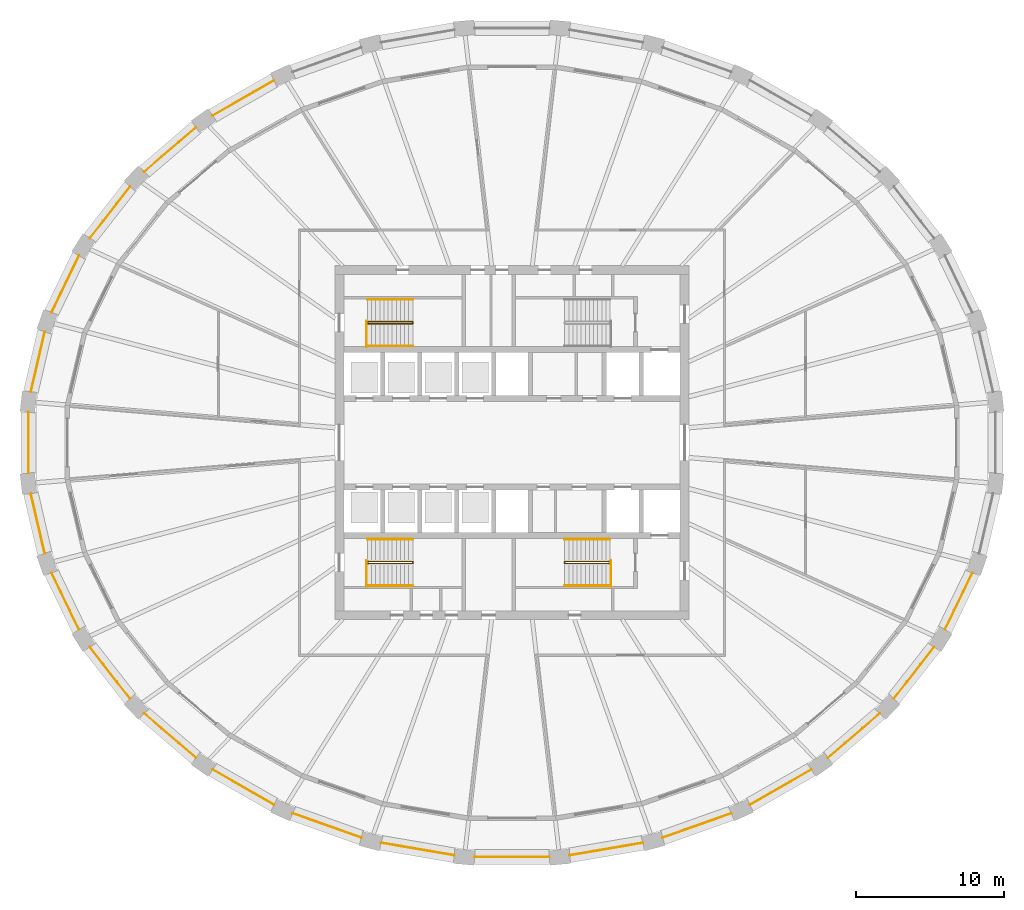
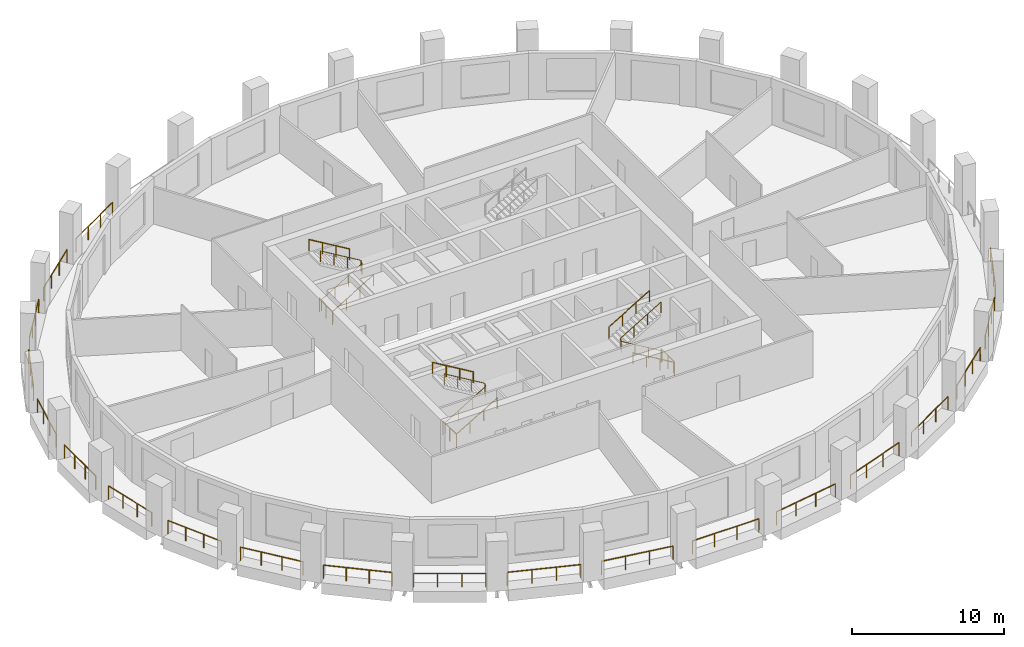
# One storey, part 8 of 10: 32 railings.
"""IFC4 building model written with IfcOpenShell, lengths in metres."""

from ifc_helpers import new_model, si_unit, direction, frame, origin, origin_2d, place, context, subcontext, project, spatial, circle, extrude, material, type_object, element, save


model = new_model("IFC4")

# Units and contexts
model_context = context("Model", 3, precision=1e-05, world=origin(), true_north=direction((0.0, 1.0)))
body_context = subcontext(model_context, "Body", "Model", "MODEL_VIEW")
ifc_project = project(units=[si_unit("LENGTHUNIT", "METRE"), si_unit("AREAUNIT", "SQUARE_METRE"), si_unit("VOLUMEUNIT", "CUBIC_METRE"), si_unit("PLANEANGLEUNIT", "RADIAN"), si_unit("MASSUNIT", "GRAM", prefix="KILO")], contexts=[model_context])

# Site, building, storey
site_placement = place(None, origin())
site = spatial("IfcSite", under=ifc_project, at=site_placement, CompositionType="ELEMENT")
building_placement = place(site_placement, origin())
building = spatial("IfcBuilding", under=site, at=building_placement, Name="Halqa Exchange Tower", CompositionType="ELEMENT")
storey_placement = place(building_placement, frame((0.0, 0.0, 182.89990234375)))
storey = spatial("IfcBuildingStorey", under=building, at=storey_placement, Name="L41", CompositionType="ELEMENT", Elevation=182.89990234375)

# Railings
ifc_material = material(Name="Stainless steel", Category="steel")
railing_type_1 = type_object("IfcRailingType", Name="Guard 1100 stainless steel", PredefinedType="GUARDRAIL", material=ifc_material)
railing_1_placement = place(storey_placement, frame((-16.126220703125, 24.5380859375, 0.0)))
element("IfcRailing", 1, at=railing_1_placement, inside=storey, type_object=railing_type_1, Name="Loggia guard 11", PredefinedType="GUARDRAIL", context=body_context, shape_type="SweptSolid", body=[
    extrude(circle(Radius=0.02392578125, at=origin_2d()), frame((0.0, 0.0, 1.076171875), z_axis=(-0.867793681236, -0.496924669148, 0.0), x_axis=(0.496924669148, -0.867793681236, 0.0)), (0.0, 0.0, 1.0), 4.783935546875),
    extrude(circle(Radius=0.02099609375, at=origin_2d()), origin(), (0.0, 0.0, 1.0), 1.052001953125),
    extrude(circle(Radius=0.02099609375, at=origin_2d()), frame((-1.3837890625, -0.79248046875, 0.0)), (0.0, 0.0, 1.0), 1.052001953125),
    extrude(circle(Radius=0.02099609375, at=origin_2d()), frame((-2.767578125, -1.584716796875, 0.0)), (0.0, 0.0, 1.0), 1.052001953125),
    extrude(circle(Radius=0.02099609375, at=origin_2d()), frame((-4.1513671875, -2.377197265625, 0.0)), (0.0, 0.0, 1.0), 1.052001953125),
])
railing_2_placement = place(storey_placement, frame((-21.41650390625, 21.357421875, 0.0)))
element("IfcRailing", 2, at=railing_2_placement, inside=storey, type_object=railing_type_1, Name="Loggia guard 12", PredefinedType="GUARDRAIL", context=body_context, shape_type="SweptSolid", body=[
    extrude(circle(Radius=0.02392578125, at=origin_2d()), frame((0.0, 0.0, 1.076171875), z_axis=(-0.759249126509, -0.650800095187, 0.0), x_axis=(0.650800095187, -0.759249126509, 0.0)), (0.0, 0.0, 1.0), 4.6103515625),
    extrude(circle(Radius=0.02099609375, at=origin_2d()), origin(), (0.0, 0.0, 1.0), 1.052001953125),
    extrude(circle(Radius=0.02099609375, at=origin_2d()), frame((-1.166748046875, -1.000244140625, 0.0)), (0.0, 0.0, 1.0), 1.052001953125),
    extrude(circle(Radius=0.02099609375, at=origin_2d()), frame((-2.333740234375, -2.000244140625, 0.0)), (0.0, 0.0, 1.0), 1.052001953125),
    extrude(circle(Radius=0.02099609375, at=origin_2d()), frame((-3.50048828125, -3.00048828125, 0.0)), (0.0, 0.0, 1.0), 1.052001953125),
])
railing_3_placement = place(storey_placement, frame((-25.87890625, 17.349365234375, 0.0)))
element("IfcRailing", 3, at=railing_3_placement, inside=storey, type_object=railing_type_1, Name="Loggia guard 13", PredefinedType="GUARDRAIL", context=body_context, shape_type="SweptSolid", body=[
    extrude(circle(Radius=0.02392578125, at=origin_2d()), frame((0.0, 0.0, 1.076171875), z_axis=(-0.614783111341, -0.788696219092, 0.0), x_axis=(0.788696219092, -0.614783111341, 0.0)), (0.0, 0.0, 1.0), 4.431884765625),
    extrude(circle(Radius=0.02099609375, at=origin_2d()), origin(), (0.0, 0.0, 1.0), 1.052001953125),
    extrude(circle(Radius=0.02099609375, at=origin_2d()), frame((-0.908203125, -1.1650390625, 0.0)), (0.0, 0.0, 1.0), 1.052001953125),
    extrude(circle(Radius=0.02099609375, at=origin_2d()), frame((-1.81640625, -2.330322265625, 0.0)), (0.0, 0.0, 1.0), 1.052001953125),
    extrude(circle(Radius=0.02099609375, at=origin_2d()), frame((-2.724609375, -3.495361328125, 0.0)), (0.0, 0.0, 1.0), 1.052001953125),
])
railing_4_placement = place(storey_placement, frame((-29.33837890625, 12.671630859375, 0.0)))
element("IfcRailing", 4, at=railing_4_placement, inside=storey, type_object=railing_type_1, Name="Loggia guard 14", PredefinedType="GUARDRAIL", context=body_context, shape_type="SweptSolid", body=[
    extrude(circle(Radius=0.02392578125, at=origin_2d()), frame((0.0, 0.0, 1.076171875), z_axis=(-0.435114663921, -0.900375049211, 0.0), x_axis=(0.900375049211, -0.435114663921, 0.0)), (0.0, 0.0, 1.0), 4.276123046875),
    extrude(circle(Radius=0.02099609375, at=origin_2d()), origin(), (0.0, 0.0, 1.0), 1.052001953125),
    extrude(circle(Radius=0.02099609375, at=origin_2d()), frame((-0.6201171875, -1.283447265625, 0.0)), (0.0, 0.0, 1.0), 1.052001953125),
    extrude(circle(Radius=0.02099609375, at=origin_2d()), frame((-1.240478515625, -2.566650390625, 0.0)), (0.0, 0.0, 1.0), 1.052001953125),
    extrude(circle(Radius=0.02099609375, at=origin_2d()), frame((-1.860595703125, -3.85009765625, 0.0)), (0.0, 0.0, 1.0), 1.052001953125),
])
railing_5_placement = place(storey_placement, frame((-31.66162109375, 7.509521484375, 0.0)))
element("IfcRailing", 5, at=railing_5_placement, inside=storey, type_object=railing_type_1, Name="Loggia guard 15", PredefinedType="GUARDRAIL", context=body_context, shape_type="SweptSolid", body=[
    extrude(circle(Radius=0.02392578125, at=origin_2d()), frame((0.0, 0.0, 1.076171875), z_axis=(-0.22612077851, -0.974099272932, 0.0), x_axis=(0.974099272932, -0.22612077851, 0.0)), (0.0, 0.0, 1.0), 4.169677734375),
    extrude(circle(Radius=0.02099609375, at=origin_2d()), origin(), (0.0, 0.0, 1.0), 1.052001953125),
    extrude(circle(Radius=0.02099609375, at=origin_2d()), frame((-0.314208984375, -1.35400390625, 0.0)), (0.0, 0.0, 1.0), 1.052001953125),
    extrude(circle(Radius=0.02099609375, at=origin_2d()), frame((-0.628662109375, -2.707763671875, 0.0)), (0.0, 0.0, 1.0), 1.052001953125),
    extrude(circle(Radius=0.02099609375, at=origin_2d()), frame((-0.94287109375, -4.061767578125, 0.0)), (0.0, 0.0, 1.0), 1.052001953125),
])
railing_6_placement = place(storey_placement, frame((-32.7626953125, 2.06591796875, 0.0)))
element("IfcRailing", 6, at=railing_6_placement, inside=storey, type_object=railing_type_1, Name="Loggia guard 16", PredefinedType="GUARDRAIL", context=body_context, shape_type="SweptSolid", body=[
    extrude(circle(Radius=0.02392578125, at=origin_2d()), frame((0.0, 0.0, 1.076171875), z_axis=(0.0, -1.0, 0.0), x_axis=(1.0, 0.0, 0.0)), (0.0, 0.0, 1.0), 4.1318359375),
    extrude(circle(Radius=0.02099609375, at=origin_2d()), origin(), (0.0, 0.0, 1.0), 1.052001953125),
    extrude(circle(Radius=0.02099609375, at=origin_2d()), frame((0.0, -1.377197265625, 0.0)), (0.0, 0.0, 1.0), 1.052001953125),
    extrude(circle(Radius=0.02099609375, at=origin_2d()), frame((0.0, -2.754638671875, 0.0)), (0.0, 0.0, 1.0), 1.052001953125),
    extrude(circle(Radius=0.02099609375, at=origin_2d()), frame((0.0, -4.1318359375, 0.0)), (0.0, 0.0, 1.0), 1.052001953125),
])
railing_7_placement = place(storey_placement, frame((-32.6044921875, -3.44775390625, 0.0)))
element("IfcRailing", 7, at=railing_7_placement, inside=storey, type_object=railing_type_1, Name="Loggia guard 17", PredefinedType="GUARDRAIL", context=body_context, shape_type="SweptSolid", body=[
    extrude(circle(Radius=0.02392578125, at=origin_2d()), frame((0.0, 0.0, 1.076171875), z_axis=(0.22612077851, -0.974099272932, 0.0), x_axis=(0.974099272932, 0.22612077851, 0.0)), (0.0, 0.0, 1.0), 4.169677734375),
    extrude(circle(Radius=0.02099609375, at=origin_2d()), origin(), (0.0, 0.0, 1.0), 1.052001953125),
    extrude(circle(Radius=0.02099609375, at=origin_2d()), frame((0.314208984375, -1.35400390625, 0.0)), (0.0, 0.0, 1.0), 1.052001953125),
    extrude(circle(Radius=0.02099609375, at=origin_2d()), frame((0.628662109375, -2.707763671875, 0.0)), (0.0, 0.0, 1.0), 1.052001953125),
    extrude(circle(Radius=0.02099609375, at=origin_2d()), frame((0.94287109375, -4.061767578125, 0.0)), (0.0, 0.0, 1.0), 1.052001953125),
])
railing_8_placement = place(storey_placement, frame((-31.198974609375, -8.821533203125, 0.0)))
element("IfcRailing", 8, at=railing_8_placement, inside=storey, type_object=railing_type_1, Name="Loggia guard 18", PredefinedType="GUARDRAIL", context=body_context, shape_type="SweptSolid", body=[
    extrude(circle(Radius=0.02392578125, at=origin_2d()), frame((0.0, 0.0, 1.076171875), z_axis=(0.435114663921, -0.900375049211, 0.0), x_axis=(0.900375049211, 0.435114663921, 0.0)), (0.0, 0.0, 1.0), 4.276123046875),
    extrude(circle(Radius=0.02099609375, at=origin_2d()), origin(), (0.0, 0.0, 1.0), 1.052001953125),
    extrude(circle(Radius=0.02099609375, at=origin_2d()), frame((0.6201171875, -1.283447265625, 0.0)), (0.0, 0.0, 1.0), 1.052001953125),
    extrude(circle(Radius=0.02099609375, at=origin_2d()), frame((1.240478515625, -2.566650390625, 0.0)), (0.0, 0.0, 1.0), 1.052001953125),
    extrude(circle(Radius=0.02099609375, at=origin_2d()), frame((1.860595703125, -3.85009765625, 0.0)), (0.0, 0.0, 1.0), 1.052001953125),
])
railing_9_placement = place(storey_placement, frame((-28.603515625, -13.85400390625, 0.0)))
element("IfcRailing", 9, at=railing_9_placement, inside=storey, type_object=railing_type_1, Name="Loggia guard 19", PredefinedType="GUARDRAIL", context=body_context, shape_type="SweptSolid", body=[
    extrude(circle(Radius=0.02392578125, at=origin_2d()), frame((0.0, 0.0, 1.076171875), z_axis=(0.614783111341, -0.788696219092, 0.0), x_axis=(0.788696219092, 0.614783111341, 0.0)), (0.0, 0.0, 1.0), 4.431884765625),
    extrude(circle(Radius=0.02099609375, at=origin_2d()), origin(), (0.0, 0.0, 1.0), 1.052001953125),
    extrude(circle(Radius=0.02099609375, at=origin_2d()), frame((0.908203125, -1.1650390625, 0.0)), (0.0, 0.0, 1.0), 1.052001953125),
    extrude(circle(Radius=0.02099609375, at=origin_2d()), frame((1.81640625, -2.330322265625, 0.0)), (0.0, 0.0, 1.0), 1.052001953125),
    extrude(circle(Radius=0.02099609375, at=origin_2d()), frame((2.724609375, -3.495361328125, 0.0)), (0.0, 0.0, 1.0), 1.052001953125),
])
railing_10_placement = place(storey_placement, frame((-24.9169921875, -18.35693359375, 0.0)))
element("IfcRailing", 10, at=railing_10_placement, inside=storey, type_object=railing_type_1, Name="Loggia guard 20", PredefinedType="GUARDRAIL", context=body_context, shape_type="SweptSolid", body=[
    extrude(circle(Radius=0.02392578125, at=origin_2d()), frame((0.0, 0.0, 1.076171875), z_axis=(0.759249126509, -0.650800095187, 0.0), x_axis=(0.650800095187, 0.759249126509, 0.0)), (0.0, 0.0, 1.0), 4.6103515625),
    extrude(circle(Radius=0.02099609375, at=origin_2d()), origin(), (0.0, 0.0, 1.0), 1.052001953125),
    extrude(circle(Radius=0.02099609375, at=origin_2d()), frame((1.166748046875, -1.000244140625, 0.0)), (0.0, 0.0, 1.0), 1.052001953125),
    extrude(circle(Radius=0.02099609375, at=origin_2d()), frame((2.333740234375, -2.000244140625, 0.0)), (0.0, 0.0, 1.0), 1.052001953125),
    extrude(circle(Radius=0.02099609375, at=origin_2d()), frame((3.50048828125, -3.00048828125, 0.0)), (0.0, 0.0, 1.0), 1.052001953125),
])
railing_11_placement = place(storey_placement, frame((-20.277587890625, -22.160888671875, 0.0)))
element("IfcRailing", 11, at=railing_11_placement, inside=storey, type_object=railing_type_1, Name="Loggia guard 21", PredefinedType="GUARDRAIL", context=body_context, shape_type="SweptSolid", body=[
    extrude(circle(Radius=0.02392578125, at=origin_2d()), frame((0.0, 0.0, 1.076171875), z_axis=(0.867793681236, -0.496924669148, 0.0), x_axis=(0.496924669148, 0.867793681236, 0.0)), (0.0, 0.0, 1.0), 4.783935546875),
    extrude(circle(Radius=0.02099609375, at=origin_2d()), origin(), (0.0, 0.0, 1.0), 1.052001953125),
    extrude(circle(Radius=0.02099609375, at=origin_2d()), frame((1.3837890625, -0.79248046875, 0.0)), (0.0, 0.0, 1.0), 1.052001953125),
    extrude(circle(Radius=0.02099609375, at=origin_2d()), frame((2.767578125, -1.584716796875, 0.0)), (0.0, 0.0, 1.0), 1.052001953125),
    extrude(circle(Radius=0.02099609375, at=origin_2d()), frame((4.1513671875, -2.377197265625, 0.0)), (0.0, 0.0, 1.0), 1.052001953125),
])
railing_12_placement = place(storey_placement, frame((-14.859130859375, -25.120361328125, 0.0)))
element("IfcRailing", 12, at=railing_12_placement, inside=storey, type_object=railing_type_1, Name="Loggia guard 22", PredefinedType="GUARDRAIL", context=body_context, shape_type="SweptSolid", body=[
    extrude(circle(Radius=0.02392578125, at=origin_2d()), frame((0.0, 0.0, 1.076171875), z_axis=(0.94236475605, -0.334587307822, 0.0), x_axis=(0.334587307822, 0.94236475605, 0.0)), (0.0, 0.0, 1.0), 4.9267578125),
    extrude(circle(Radius=0.02099609375, at=origin_2d()), origin(), (0.0, 0.0, 1.0), 1.052001953125),
    extrude(circle(Radius=0.02099609375, at=origin_2d()), frame((1.547607421875, -0.549560546875, 0.0)), (0.0, 0.0, 1.0), 1.052001953125),
    extrude(circle(Radius=0.02099609375, at=origin_2d()), frame((3.09521484375, -1.098876953125, 0.0)), (0.0, 0.0, 1.0), 1.052001953125),
    extrude(circle(Radius=0.02099609375, at=origin_2d()), frame((4.642822265625, -1.6484375, 0.0)), (0.0, 0.0, 1.0), 1.052001953125),
])
railing_13_placement = place(storey_placement, frame((-8.866455078125, -27.12060546875, 0.0)))
element("IfcRailing", 13, at=railing_13_placement, inside=storey, type_object=railing_type_1, Name="Loggia guard 23", PredefinedType="GUARDRAIL", context=body_context, shape_type="SweptSolid", body=[
    extrude(circle(Radius=0.02392578125, at=origin_2d()), frame((0.0, 0.0, 1.076171875), z_axis=(0.985772013082, -0.16808788839, 0.0), x_axis=(0.16808788839, 0.985772013082, 0.0)), (0.0, 0.0, 1.0), 5.021240234375),
    extrude(circle(Radius=0.02099609375, at=origin_2d()), origin(), (0.0, 0.0, 1.0), 1.052001953125),
    extrude(circle(Radius=0.02099609375, at=origin_2d()), frame((1.64990234375, -0.28125, 0.0)), (0.0, 0.0, 1.0), 1.052001953125),
    extrude(circle(Radius=0.02099609375, at=origin_2d()), frame((3.2998046875, -0.562744140625, 0.0)), (0.0, 0.0, 1.0), 1.052001953125),
    extrude(circle(Radius=0.02099609375, at=origin_2d()), frame((4.94970703125, -0.843994140625, 0.0)), (0.0, 0.0, 1.0), 1.052001953125),
])
railing_14_placement = place(storey_placement, frame((-2.52685546875, -28.082275390625, 0.0)))
element("IfcRailing", 14, at=railing_14_placement, inside=storey, type_object=railing_type_1, Name="Loggia guard 24", PredefinedType="GUARDRAIL", context=body_context, shape_type="SweptSolid", body=[
    extrude(circle(Radius=0.02392578125, at=origin_2d()), frame((0.0, 0.0, 1.076171875), z_axis=(1.0, 0.0, 0.0), x_axis=(0.0, 1.0, 0.0)), (0.0, 0.0, 1.0), 5.0537109375),
    extrude(circle(Radius=0.02099609375, at=origin_2d()), origin(), (0.0, 0.0, 1.0), 1.052001953125),
    extrude(circle(Radius=0.02099609375, at=origin_2d()), frame((1.6845703125, 0.0, 0.0)), (0.0, 0.0, 1.0), 1.052001953125),
    extrude(circle(Radius=0.02099609375, at=origin_2d()), frame((3.369140625, 0.0, 0.0)), (0.0, 0.0, 1.0), 1.052001953125),
    extrude(circle(Radius=0.02099609375, at=origin_2d()), frame((5.0537109375, 0.0, 0.0)), (0.0, 0.0, 1.0), 1.052001953125),
])
railing_15_placement = place(storey_placement, frame((3.916748046875, -27.964599609375, 0.0)))
element("IfcRailing", 15, at=railing_15_placement, inside=storey, type_object=railing_type_1, Name="Loggia guard 25", PredefinedType="GUARDRAIL", context=body_context, shape_type="SweptSolid", body=[
    extrude(circle(Radius=0.02392578125, at=origin_2d()), frame((0.0, 0.0, 1.076171875), z_axis=(0.985772013082, 0.16808788839, 0.0), x_axis=(-0.16808788839, 0.985772013082, 0.0)), (0.0, 0.0, 1.0), 5.021240234375),
    extrude(circle(Radius=0.02099609375, at=origin_2d()), origin(), (0.0, 0.0, 1.0), 1.052001953125),
    extrude(circle(Radius=0.02099609375, at=origin_2d()), frame((1.64990234375, 0.28125, 0.0)), (0.0, 0.0, 1.0), 1.052001953125),
    extrude(circle(Radius=0.02099609375, at=origin_2d()), frame((3.2998046875, 0.562744140625, 0.0)), (0.0, 0.0, 1.0), 1.052001953125),
    extrude(circle(Radius=0.02099609375, at=origin_2d()), frame((4.94970703125, 0.843994140625, 0.0)), (0.0, 0.0, 1.0), 1.052001953125),
])
railing_16_placement = place(storey_placement, frame((10.21630859375, -26.768798828125, 0.0)))
element("IfcRailing", 16, at=railing_16_placement, inside=storey, type_object=railing_type_1, Name="Loggia guard 26", PredefinedType="GUARDRAIL", context=body_context, shape_type="SweptSolid", body=[
    extrude(circle(Radius=0.02392578125, at=origin_2d()), frame((0.0, 0.0, 1.076171875), z_axis=(0.94236475605, 0.334587307822, 0.0), x_axis=(-0.334587307822, 0.94236475605, 0.0)), (0.0, 0.0, 1.0), 4.9267578125),
    extrude(circle(Radius=0.02099609375, at=origin_2d()), origin(), (0.0, 0.0, 1.0), 1.052001953125),
    extrude(circle(Radius=0.02099609375, at=origin_2d()), frame((1.547607421875, 0.549560546875, 0.0)), (0.0, 0.0, 1.0), 1.052001953125),
    extrude(circle(Radius=0.02099609375, at=origin_2d()), frame((3.09521484375, 1.098876953125, 0.0)), (0.0, 0.0, 1.0), 1.052001953125),
    extrude(circle(Radius=0.02099609375, at=origin_2d()), frame((4.642822265625, 1.6484375, 0.0)), (0.0, 0.0, 1.0), 1.052001953125),
])
railing_17_placement = place(storey_placement, frame((16.126220703125, -24.5380859375, 0.0)))
element("IfcRailing", 17, at=railing_17_placement, inside=storey, type_object=railing_type_1, Name="Loggia guard 27", PredefinedType="GUARDRAIL", context=body_context, shape_type="SweptSolid", body=[
    extrude(circle(Radius=0.02392578125, at=origin_2d()), frame((0.0, 0.0, 1.076171875), z_axis=(0.867793681236, 0.496924669148, 0.0), x_axis=(-0.496924669148, 0.867793681236, 0.0)), (0.0, 0.0, 1.0), 4.783935546875),
    extrude(circle(Radius=0.02099609375, at=origin_2d()), origin(), (0.0, 0.0, 1.0), 1.052001953125),
    extrude(circle(Radius=0.02099609375, at=origin_2d()), frame((1.3837890625, 0.79248046875, 0.0)), (0.0, 0.0, 1.0), 1.052001953125),
    extrude(circle(Radius=0.02099609375, at=origin_2d()), frame((2.767578125, 1.584716796875, 0.0)), (0.0, 0.0, 1.0), 1.052001953125),
    extrude(circle(Radius=0.02099609375, at=origin_2d()), frame((4.1513671875, 2.377197265625, 0.0)), (0.0, 0.0, 1.0), 1.052001953125),
])
railing_18_placement = place(storey_placement, frame((21.41650390625, -21.357421875, 0.0)))
element("IfcRailing", 18, at=railing_18_placement, inside=storey, type_object=railing_type_1, Name="Loggia guard 28", PredefinedType="GUARDRAIL", context=body_context, shape_type="SweptSolid", body=[
    extrude(circle(Radius=0.02392578125, at=origin_2d()), frame((0.0, 0.0, 1.076171875), z_axis=(0.759249126509, 0.650800095187, 0.0), x_axis=(-0.650800095187, 0.759249126509, 0.0)), (0.0, 0.0, 1.0), 4.6103515625),
    extrude(circle(Radius=0.02099609375, at=origin_2d()), origin(), (0.0, 0.0, 1.0), 1.052001953125),
    extrude(circle(Radius=0.02099609375, at=origin_2d()), frame((1.166748046875, 1.000244140625, 0.0)), (0.0, 0.0, 1.0), 1.052001953125),
    extrude(circle(Radius=0.02099609375, at=origin_2d()), frame((2.333740234375, 2.000244140625, 0.0)), (0.0, 0.0, 1.0), 1.052001953125),
    extrude(circle(Radius=0.02099609375, at=origin_2d()), frame((3.50048828125, 3.00048828125, 0.0)), (0.0, 0.0, 1.0), 1.052001953125),
])
railing_19_placement = place(storey_placement, frame((25.87890625, -17.349365234375, 0.0)))
element("IfcRailing", 19, at=railing_19_placement, inside=storey, type_object=railing_type_1, Name="Loggia guard 29", PredefinedType="GUARDRAIL", context=body_context, shape_type="SweptSolid", body=[
    extrude(circle(Radius=0.02392578125, at=origin_2d()), frame((0.0, 0.0, 1.076171875), z_axis=(0.614783111341, 0.788696219092, 0.0), x_axis=(-0.788696219092, 0.614783111341, 0.0)), (0.0, 0.0, 1.0), 4.431884765625),
    extrude(circle(Radius=0.02099609375, at=origin_2d()), origin(), (0.0, 0.0, 1.0), 1.052001953125),
    extrude(circle(Radius=0.02099609375, at=origin_2d()), frame((0.908203125, 1.1650390625, 0.0)), (0.0, 0.0, 1.0), 1.052001953125),
    extrude(circle(Radius=0.02099609375, at=origin_2d()), frame((1.81640625, 2.330322265625, 0.0)), (0.0, 0.0, 1.0), 1.052001953125),
    extrude(circle(Radius=0.02099609375, at=origin_2d()), frame((2.724609375, 3.495361328125, 0.0)), (0.0, 0.0, 1.0), 1.052001953125),
])
railing_20_placement = place(storey_placement, frame((29.33837890625, -12.671630859375, 0.0)))
element("IfcRailing", 20, at=railing_20_placement, inside=storey, type_object=railing_type_1, Name="Loggia guard 30", PredefinedType="GUARDRAIL", context=body_context, shape_type="SweptSolid", body=[
    extrude(circle(Radius=0.02392578125, at=origin_2d()), frame((0.0, 0.0, 1.076171875), z_axis=(0.435114663921, 0.900375049211, 0.0), x_axis=(-0.900375049211, 0.435114663921, 0.0)), (0.0, 0.0, 1.0), 4.276123046875),
    extrude(circle(Radius=0.02099609375, at=origin_2d()), origin(), (0.0, 0.0, 1.0), 1.052001953125),
    extrude(circle(Radius=0.02099609375, at=origin_2d()), frame((0.6201171875, 1.283447265625, 0.0)), (0.0, 0.0, 1.0), 1.052001953125),
    extrude(circle(Radius=0.02099609375, at=origin_2d()), frame((1.240478515625, 2.566650390625, 0.0)), (0.0, 0.0, 1.0), 1.052001953125),
    extrude(circle(Radius=0.02099609375, at=origin_2d()), frame((1.860595703125, 3.85009765625, 0.0)), (0.0, 0.0, 1.0), 1.052001953125),
])
railing_type_2 = type_object("IfcRailingType", Name="Stair handrail 900", PredefinedType="HANDRAIL", material=ifc_material)
railing_21_placement = place(storey_placement, frame((-9.800048828125, 8.06005859375, 0.166748046875)))
element("IfcRailing", 21, at=railing_21_placement, inside=storey, type_object=railing_type_2, Name="Handrail ST1.1", PredefinedType="HANDRAIL", context=body_context, shape_type="SweptSolid", body=[
    extrude(circle(Radius=0.02392578125, at=origin_2d()), frame((0.0, 0.0, 0.8759765625), z_axis=(0.859308565015, 0.0, 0.511457515432), x_axis=(0.0, 1.0, 0.0)), (0.0, 0.0, 1.0), 3.58447265625),
    extrude(circle(Radius=0.02392578125, at=origin_2d()), frame((3.080078125, 0.0, 2.708984375), z_axis=(0.0, 0.614500226555, 0.788916644243), x_axis=(-1.0, 0.0, 0.0)), (0.0, 0.0, 1.0), 0.21142578125),
    extrude(circle(Radius=0.02392578125, at=origin_2d()), frame((3.080078125, 0.1298828125, 2.8759765625), z_axis=(-0.859308565015, 0.0, 0.511457515432), x_axis=(0.0, -1.0, 0.0)), (0.0, 0.0, 1.0), 3.58447265625),
    extrude(circle(Radius=0.02099609375, at=origin_2d()), origin(), (0.0, 0.0, 1.0), 0.851806640625),
    extrude(circle(Radius=0.02099609375, at=origin_2d()), frame((1.026611328125, 0.0, 0.611083984375)), (0.0, 0.0, 1.0), 0.851806640625),
    extrude(circle(Radius=0.02099609375, at=origin_2d()), frame((2.053466796875, 0.0, 1.22216796875)), (0.0, 0.0, 1.0), 0.851806640625),
    extrude(circle(Radius=0.02099609375, at=origin_2d()), frame((3.080078125, 0.0, 1.833251953125)), (0.0, 0.0, 1.0), 0.851806640625),
    extrude(circle(Radius=0.02099609375, at=origin_2d()), frame((3.080078125, 0.1298828125, 2.0)), (0.0, 0.0, 1.0), 0.851806640625),
    extrude(circle(Radius=0.02099609375, at=origin_2d()), frame((2.053466796875, 0.1298828125, 2.611083984375)), (0.0, 0.0, 1.0), 0.851806640625),
    extrude(circle(Radius=0.02099609375, at=origin_2d()), frame((1.026611328125, 0.1298828125, 3.22216796875)), (0.0, 0.0, 1.0), 0.851806640625),
    extrude(circle(Radius=0.02099609375, at=origin_2d()), frame((0.0, 0.1298828125, 3.833251953125)), (0.0, 0.0, 1.0), 0.851806640625),
])
railing_22_placement = place(storey_placement, frame((-9.800048828125, 6.550048828125, 0.166748046875)))
element("IfcRailing", 22, at=railing_22_placement, inside=storey, type_object=railing_type_2, Name="Handrail ST1.2", PredefinedType="HANDRAIL", context=body_context, shape_type="SweptSolid", body=[
    extrude(circle(Radius=0.02392578125, at=origin_2d()), frame((0.0, 0.0, 0.8759765625), z_axis=(0.859308565015, 0.0, 0.511457515432), x_axis=(0.0, 1.0, 0.0)), (0.0, 0.0, 1.0), 3.58447265625),
    extrude(circle(Radius=0.02099609375, at=origin_2d()), origin(), (0.0, 0.0, 1.0), 0.851806640625),
    extrude(circle(Radius=0.02099609375, at=origin_2d()), frame((1.026611328125, 0.0, 0.611083984375)), (0.0, 0.0, 1.0), 0.851806640625),
    extrude(circle(Radius=0.02099609375, at=origin_2d()), frame((2.053466796875, 0.0, 1.22216796875)), (0.0, 0.0, 1.0), 0.851806640625),
    extrude(circle(Radius=0.02099609375, at=origin_2d()), frame((3.080078125, 0.0, 1.833251953125)), (0.0, 0.0, 1.0), 0.851806640625),
])
railing_23_placement = place(storey_placement, frame((-6.719970703125, 9.699951171875, 2.166748046875)))
element("IfcRailing", 23, at=railing_23_placement, inside=storey, type_object=railing_type_2, Name="Handrail ST1.3", PredefinedType="HANDRAIL", context=body_context, shape_type="SweptSolid", body=[
    extrude(circle(Radius=0.02392578125, at=origin_2d()), frame((0.0, 0.0, 0.8759765625), z_axis=(-0.859308565015, 0.0, 0.511457515432), x_axis=(0.0, -1.0, 0.0)), (0.0, 0.0, 1.0), 3.58447265625),
    extrude(circle(Radius=0.02099609375, at=origin_2d()), origin(), (0.0, 0.0, 1.0), 0.851806640625),
    extrude(circle(Radius=0.02099609375, at=origin_2d()), frame((-1.026611328125, 0.0, 0.611083984375)), (0.0, 0.0, 1.0), 0.851806640625),
    extrude(circle(Radius=0.02099609375, at=origin_2d()), frame((-2.053466796875, 0.0, 1.22216796875)), (0.0, 0.0, 1.0), 0.851806640625),
    extrude(circle(Radius=0.02099609375, at=origin_2d()), frame((-3.080078125, 0.0, 1.833251953125)), (0.0, 0.0, 1.0), 0.851806640625),
])
railing_24_placement = place(storey_placement, frame((-9.800048828125, -8.18994140625, 0.166748046875)))
element("IfcRailing", 24, at=railing_24_placement, inside=storey, type_object=railing_type_2, Name="Handrail ST3.1", PredefinedType="HANDRAIL", context=body_context, shape_type="SweptSolid", body=[
    extrude(circle(Radius=0.02392578125, at=origin_2d()), frame((0.0, 0.0, 0.8759765625), z_axis=(0.859308565015, 0.0, 0.511457515432), x_axis=(0.0, 1.0, 0.0)), (0.0, 0.0, 1.0), 3.58447265625),
    extrude(circle(Radius=0.02392578125, at=origin_2d()), frame((3.080078125, 0.0, 2.708984375), z_axis=(0.0, 0.614500226555, 0.788916644243), x_axis=(-1.0, 0.0, 0.0)), (0.0, 0.0, 1.0), 0.21142578125),
    extrude(circle(Radius=0.02392578125, at=origin_2d()), frame((3.080078125, 0.1298828125, 2.8759765625), z_axis=(-0.859308565015, 0.0, 0.511457515432), x_axis=(0.0, -1.0, 0.0)), (0.0, 0.0, 1.0), 3.58447265625),
    extrude(circle(Radius=0.02099609375, at=origin_2d()), origin(), (0.0, 0.0, 1.0), 0.851806640625),
    extrude(circle(Radius=0.02099609375, at=origin_2d()), frame((1.026611328125, 0.0, 0.611083984375)), (0.0, 0.0, 1.0), 0.851806640625),
    extrude(circle(Radius=0.02099609375, at=origin_2d()), frame((2.053466796875, 0.0, 1.22216796875)), (0.0, 0.0, 1.0), 0.851806640625),
    extrude(circle(Radius=0.02099609375, at=origin_2d()), frame((3.080078125, 0.0, 1.833251953125)), (0.0, 0.0, 1.0), 0.851806640625),
    extrude(circle(Radius=0.02099609375, at=origin_2d()), frame((3.080078125, 0.1298828125, 2.0)), (0.0, 0.0, 1.0), 0.851806640625),
    extrude(circle(Radius=0.02099609375, at=origin_2d()), frame((2.053466796875, 0.1298828125, 2.611083984375)), (0.0, 0.0, 1.0), 0.851806640625),
    extrude(circle(Radius=0.02099609375, at=origin_2d()), frame((1.026611328125, 0.1298828125, 3.22216796875)), (0.0, 0.0, 1.0), 0.851806640625),
    extrude(circle(Radius=0.02099609375, at=origin_2d()), frame((0.0, 0.1298828125, 3.833251953125)), (0.0, 0.0, 1.0), 0.851806640625),
])
railing_25_placement = place(storey_placement, frame((-9.800048828125, -9.699951171875, 0.166748046875)))
element("IfcRailing", 25, at=railing_25_placement, inside=storey, type_object=railing_type_2, Name="Handrail ST3.2", PredefinedType="HANDRAIL", context=body_context, shape_type="SweptSolid", body=[
    extrude(circle(Radius=0.02392578125, at=origin_2d()), frame((0.0, 0.0, 0.8759765625), z_axis=(0.859308565015, 0.0, 0.511457515432), x_axis=(0.0, 1.0, 0.0)), (0.0, 0.0, 1.0), 3.58447265625),
    extrude(circle(Radius=0.02099609375, at=origin_2d()), origin(), (0.0, 0.0, 1.0), 0.851806640625),
    extrude(circle(Radius=0.02099609375, at=origin_2d()), frame((1.026611328125, 0.0, 0.611083984375)), (0.0, 0.0, 1.0), 0.851806640625),
    extrude(circle(Radius=0.02099609375, at=origin_2d()), frame((2.053466796875, 0.0, 1.22216796875)), (0.0, 0.0, 1.0), 0.851806640625),
    extrude(circle(Radius=0.02099609375, at=origin_2d()), frame((3.080078125, 0.0, 1.833251953125)), (0.0, 0.0, 1.0), 0.851806640625),
])
railing_26_placement = place(storey_placement, frame((-6.719970703125, -6.550048828125, 2.166748046875)))
element("IfcRailing", 26, at=railing_26_placement, inside=storey, type_object=railing_type_2, Name="Handrail ST3.3", PredefinedType="HANDRAIL", context=body_context, shape_type="SweptSolid", body=[
    extrude(circle(Radius=0.02392578125, at=origin_2d()), frame((0.0, 0.0, 0.8759765625), z_axis=(-0.859308565015, 0.0, 0.511457515432), x_axis=(0.0, -1.0, 0.0)), (0.0, 0.0, 1.0), 3.58447265625),
    extrude(circle(Radius=0.02099609375, at=origin_2d()), origin(), (0.0, 0.0, 1.0), 0.851806640625),
    extrude(circle(Radius=0.02099609375, at=origin_2d()), frame((-1.026611328125, 0.0, 0.611083984375)), (0.0, 0.0, 1.0), 0.851806640625),
    extrude(circle(Radius=0.02099609375, at=origin_2d()), frame((-2.053466796875, 0.0, 1.22216796875)), (0.0, 0.0, 1.0), 0.851806640625),
    extrude(circle(Radius=0.02099609375, at=origin_2d()), frame((-3.080078125, 0.0, 1.833251953125)), (0.0, 0.0, 1.0), 0.851806640625),
])
railing_27_placement = place(storey_placement, frame((6.64990234375, -8.18994140625, 0.166748046875)))
element("IfcRailing", 27, at=railing_27_placement, inside=storey, type_object=railing_type_2, Name="Handrail ST4.1", PredefinedType="HANDRAIL", context=body_context, shape_type="SweptSolid", body=[
    extrude(circle(Radius=0.02392578125, at=origin_2d()), frame((0.0, 0.0, 0.8759765625), z_axis=(-0.859290745958, 0.0, 0.51148745235), x_axis=(0.0, -1.0, 0.0)), (0.0, 0.0, 1.0), 3.584228515625),
    extrude(circle(Radius=0.02392578125, at=origin_2d()), frame((-3.079833984375, 0.0, 2.708984375), z_axis=(0.0, 0.614500226555, 0.788916644243), x_axis=(-1.0, 0.0, 0.0)), (0.0, 0.0, 1.0), 0.21142578125),
    extrude(circle(Radius=0.02392578125, at=origin_2d()), frame((-3.079833984375, 0.1298828125, 2.8759765625), z_axis=(0.859290745958, 0.0, 0.51148745235), x_axis=(0.0, 1.0, 0.0)), (0.0, 0.0, 1.0), 3.584228515625),
    extrude(circle(Radius=0.02099609375, at=origin_2d()), origin(), (0.0, 0.0, 1.0), 0.851806640625),
    extrude(circle(Radius=0.02099609375, at=origin_2d()), frame((-1.026611328125, 0.0, 0.611083984375)), (0.0, 0.0, 1.0), 0.851806640625),
    extrude(circle(Radius=0.02099609375, at=origin_2d()), frame((-2.05322265625, 0.0, 1.22216796875)), (0.0, 0.0, 1.0), 0.851806640625),
    extrude(circle(Radius=0.02099609375, at=origin_2d()), frame((-3.079833984375, 0.0, 1.833251953125)), (0.0, 0.0, 1.0), 0.851806640625),
    extrude(circle(Radius=0.02099609375, at=origin_2d()), frame((-3.079833984375, 0.1298828125, 2.0)), (0.0, 0.0, 1.0), 0.851806640625),
    extrude(circle(Radius=0.02099609375, at=origin_2d()), frame((-2.05322265625, 0.1298828125, 2.611083984375)), (0.0, 0.0, 1.0), 0.851806640625),
    extrude(circle(Radius=0.02099609375, at=origin_2d()), frame((-1.026611328125, 0.1298828125, 3.22216796875)), (0.0, 0.0, 1.0), 0.851806640625),
    extrude(circle(Radius=0.02099609375, at=origin_2d()), frame((0.0, 0.1298828125, 3.833251953125)), (0.0, 0.0, 1.0), 0.851806640625),
])
railing_28_placement = place(storey_placement, frame((6.64990234375, -9.699951171875, 0.166748046875)))
element("IfcRailing", 28, at=railing_28_placement, inside=storey, type_object=railing_type_2, Name="Handrail ST4.2", PredefinedType="HANDRAIL", context=body_context, shape_type="SweptSolid", body=[
    extrude(circle(Radius=0.02392578125, at=origin_2d()), frame((0.0, 0.0, 0.8759765625), z_axis=(-0.859290745958, 0.0, 0.51148745235), x_axis=(0.0, -1.0, 0.0)), (0.0, 0.0, 1.0), 3.584228515625),
    extrude(circle(Radius=0.02099609375, at=origin_2d()), origin(), (0.0, 0.0, 1.0), 0.851806640625),
    extrude(circle(Radius=0.02099609375, at=origin_2d()), frame((-1.026611328125, 0.0, 0.611083984375)), (0.0, 0.0, 1.0), 0.851806640625),
    extrude(circle(Radius=0.02099609375, at=origin_2d()), frame((-2.05322265625, 0.0, 1.22216796875)), (0.0, 0.0, 1.0), 0.851806640625),
    extrude(circle(Radius=0.02099609375, at=origin_2d()), frame((-3.079833984375, 0.0, 1.833251953125)), (0.0, 0.0, 1.0), 0.851806640625),
])
railing_29_placement = place(storey_placement, frame((3.570068359375, -6.550048828125, 2.166748046875)))
element("IfcRailing", 29, at=railing_29_placement, inside=storey, type_object=railing_type_2, Name="Handrail ST4.3", PredefinedType="HANDRAIL", context=body_context, shape_type="SweptSolid", body=[
    extrude(circle(Radius=0.02392578125, at=origin_2d()), frame((0.0, 0.0, 0.8759765625), z_axis=(0.859290745958, 0.0, 0.51148745235), x_axis=(0.0, 1.0, 0.0)), (0.0, 0.0, 1.0), 3.584228515625),
    extrude(circle(Radius=0.02099609375, at=origin_2d()), origin(), (0.0, 0.0, 1.0), 0.851806640625),
    extrude(circle(Radius=0.02099609375, at=origin_2d()), frame((1.026611328125, 0.0, 0.611083984375)), (0.0, 0.0, 1.0), 0.851806640625),
    extrude(circle(Radius=0.02099609375, at=origin_2d()), frame((2.05322265625, 0.0, 1.22216796875)), (0.0, 0.0, 1.0), 0.851806640625),
    extrude(circle(Radius=0.02099609375, at=origin_2d()), frame((3.079833984375, 0.0, 1.833251953125)), (0.0, 0.0, 1.0), 0.851806640625),
])
railing_type_3 = type_object("IfcRailingType", Name="Stair well guard 1100", PredefinedType="GUARDRAIL", material=ifc_material)
for number, where, name in (
    (30, (-9.85009765625, 6.5, 0.0), "Guard ST1 well"),
    (31, (-9.85009765625, -9.75, 0.0), "Guard ST3 well"),
    (32, (6.699951171875, -9.75, 0.0), "Guard ST4 well"),
):
    element("IfcRailing", number, at=place(storey_placement, frame(where)), inside=storey, type_object=railing_type_3, Name=name, PredefinedType="GUARDRAIL", context=body_context, shape_type="SweptSolid", body=[
        extrude(circle(Radius=0.02392578125, at=origin_2d()), frame((0.0, 0.0, 1.076171875), z_axis=(0.0, 1.0, 0.0), x_axis=(-1.0, 0.0, 0.0)), (0.0, 0.0, 1.0), 1.75),
        extrude(circle(Radius=0.02099609375, at=origin_2d()), origin(), (0.0, 0.0, 1.0), 1.052001953125),
        extrude(circle(Radius=0.02099609375, at=origin_2d()), frame((0.0, 0.875, 0.0)), (0.0, 0.0, 1.0), 1.052001953125),
        extrude(circle(Radius=0.02099609375, at=origin_2d()), frame((0.0, 1.75, 0.0)), (0.0, 0.0, 1.0), 1.052001953125),
    ])

save(model, "model.ifc")
